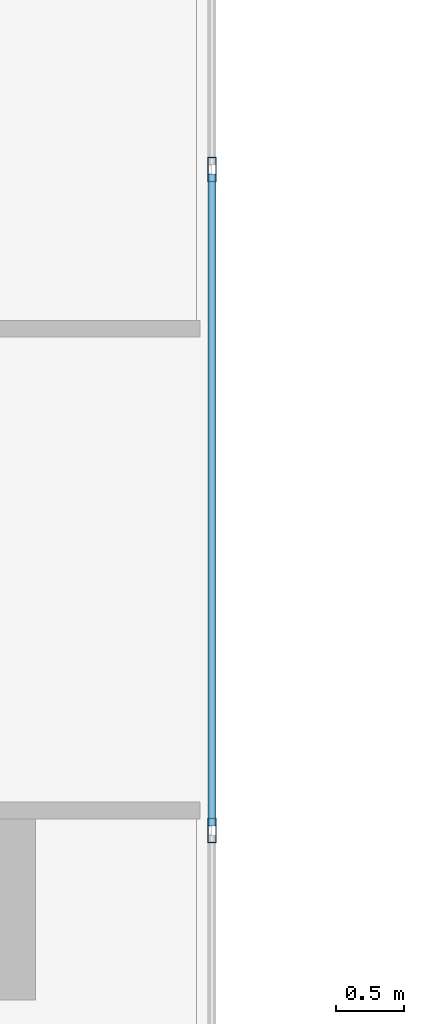
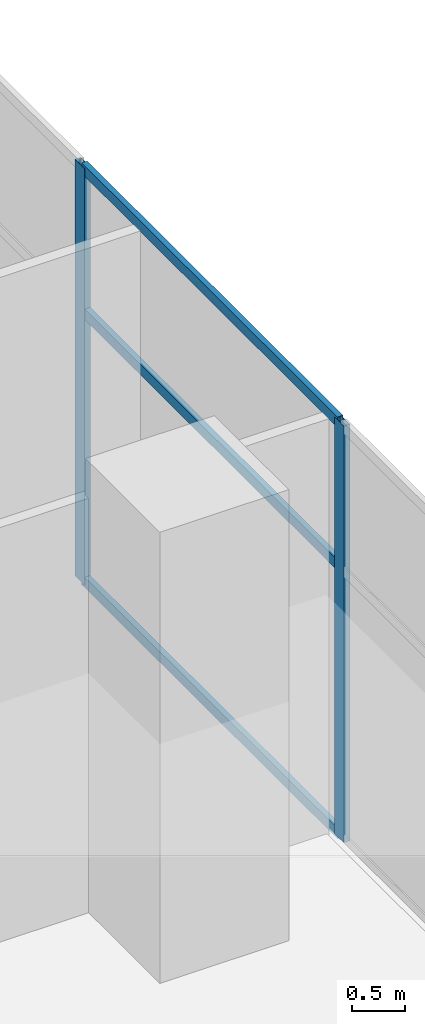
# One storey, part 18 of 29: 5 members, 1 element without a shape of its own.
"""IFC4 building model written with IfcOpenShell, lengths in metres."""

from ifc_helpers import new_model, si_unit, direction, frame, origin, origin_2d, place, context, subcontext, project, spatial, hollow_rectangle, extrude, material, layer, layer_set, material_profile, profile_set, type_object, element, aggregate, save


model = new_model("IFC4")

# Units and contexts
model_context = context("Model", 3, precision=1e-05, world=origin(), true_north=direction((0.0, 1.0)))
body_context = subcontext(model_context, "Body", "Model", "MODEL_VIEW")
ifc_project = project(units=[si_unit("LENGTHUNIT", "METRE"), si_unit("AREAUNIT", "SQUARE_METRE"), si_unit("VOLUMEUNIT", "CUBIC_METRE"), si_unit("PLANEANGLEUNIT", "RADIAN"), si_unit("MASSUNIT", "GRAM", prefix="KILO")], contexts=[model_context])

# Site, building, storey
site_placement = place(None, origin())
site = spatial("IfcSite", under=ifc_project, at=site_placement, CompositionType="ELEMENT")
building_placement = place(site_placement, origin())
building = spatial("IfcBuilding", under=site, at=building_placement, Name="Mawjaban Terraces University", CompositionType="ELEMENT")
storey_placement = place(building_placement, frame((0.0, 0.0, 20.800048828125)))
storey = spatial("IfcBuildingStorey", under=building, at=storey_placement, Name="L04", CompositionType="ELEMENT", Elevation=20.800048828125)

# Curtain wall, members
ifc_material_1 = material(Name="Anodised aluminium 6063-T6 and solar-control low-E glass", Category="aluminium")
ifc_layer = layer(ifc_material_1, 0.175048828125)
ifc_layer_set = layer_set([ifc_layer], Name="Anodised aluminium 6063-T6 and solar-control low-E glass")
curtain_wall_type = type_object("IfcCurtainWallType", Name="CWSystem_02_PodiumLibrary", PredefinedType="NOTDEFINED", material=ifc_layer_set)
curtain_wall_placement = place(storey_placement, origin())
curtain_wall = element("IfcCurtainWall", 1, at=curtain_wall_placement, inside=storey, type_object=curtain_wall_type, Name="L04 Curtain Wall CW-02 Run 6.1", PredefinedType="NOTDEFINED")
ifc_material_2 = material(Name="Anodised aluminium 6063-T6", Category="aluminium")
ifc_material_profile_1 = material_profile(ifc_material_2, hollow_rectangle(XDim=0.06494140625, YDim=0.179931640625, WallThickness=0.00390625, at=origin_2d()), Name="ALU180X65X4")
ifc_profile_set_1 = profile_set([ifc_material_profile_1], Name="Anodised aluminium 6063-T6")
member_type_1 = type_object("IfcMemberType", Name="Mullion_CW-02", PredefinedType="MULLION", material=ifc_profile_set_1)
member_1_placement = place(storey_placement, frame((54.0, 41.75, 0.0), z_axis=(0.0, 0.0, 1.0), x_axis=(-1.0, 0.0, 0.0)))
member_1 = element("IfcMember", 2, at=member_1_placement, type_object=member_type_1, Name="CW-02 mullion 3", PredefinedType="MULLION", context=body_context, shape_type="SweptSolid", body=[
    extrude(hollow_rectangle(XDim=0.06494140625, YDim=0.179931640625, WallThickness=0.00390625, at=origin_2d()), origin(), (0.0, 0.0, 1.0), 4.780029296875),
])
member_2_placement = place(storey_placement, frame((54.0, 46.625, 0.0), z_axis=(0.0, 0.0, 1.0), x_axis=(-1.0, 0.0, 0.0)))
member_2 = element("IfcMember", 3, at=member_2_placement, type_object=member_type_1, Name="CW-02 mullion 4", PredefinedType="MULLION", context=body_context, shape_type="SweptSolid", body=[
    extrude(hollow_rectangle(XDim=0.06494140625, YDim=0.179931640625, WallThickness=0.00390625, at=origin_2d()), origin(), (0.0, 0.0, 1.0), 4.780029296875),
])
ifc_material_profile_2 = material_profile(ifc_material_2, hollow_rectangle(XDim=0.06005859375, YDim=0.1201171875, WallThickness=0.00341796875, at=origin_2d()), Name="ALU120X60X3.5")
ifc_profile_set_2 = profile_set([ifc_material_profile_2], Name="Anodised aluminium 6063-T6")
member_type_2 = type_object("IfcMemberType", Name="Transom_CW-02", PredefinedType="NOTDEFINED", material=ifc_profile_set_2)
member_3_placement = place(storey_placement, frame((54.0, 41.782470703125, 0.030029296875), z_axis=(0.0, 1.0, 0.0), x_axis=(-1.0, 0.0, 0.0)))
member_3 = element("IfcMember", 4, at=member_3_placement, type_object=member_type_2, Name="CW-02 transom 3.1", ObjectType="TRANSOM", PredefinedType="USERDEFINED", context=body_context, shape_type="SweptSolid", body=[
    extrude(hollow_rectangle(XDim=0.06005859375, YDim=0.1201171875, WallThickness=0.00341796875, at=origin_2d()), origin(), (0.0, 0.0, 1.0), 4.81005859375),
])
member_4_placement = place(storey_placement, frame((54.0, 41.782470703125, 3.10693359375), z_axis=(0.0, 1.0, 0.0), x_axis=(-1.0, 0.0, 0.0)))
member_4 = element("IfcMember", 5, at=member_4_placement, type_object=member_type_2, Name="CW-02 transom 3.2", ObjectType="TRANSOM", PredefinedType="USERDEFINED", context=body_context, shape_type="SweptSolid", body=[
    extrude(hollow_rectangle(XDim=0.06005859375, YDim=0.1201171875, WallThickness=0.00341796875, at=origin_2d()), origin(), (0.0, 0.0, 1.0), 4.81005859375),
])
member_5_placement = place(storey_placement, frame((54.0, 41.782470703125, 4.75), z_axis=(0.0, 1.0, 0.0), x_axis=(-1.0, 0.0, 0.0)))
member_5 = element("IfcMember", 6, at=member_5_placement, type_object=member_type_2, Name="CW-02 transom 3.3", ObjectType="TRANSOM", PredefinedType="USERDEFINED", context=body_context, shape_type="SweptSolid", body=[
    extrude(hollow_rectangle(XDim=0.06005859375, YDim=0.1201171875, WallThickness=0.00341796875, at=origin_2d()), origin(), (0.0, 0.0, 1.0), 4.81005859375),
])
aggregate(curtain_wall, [member_1, member_2, member_3, member_4, member_5])

save(model, "model.ifc")
